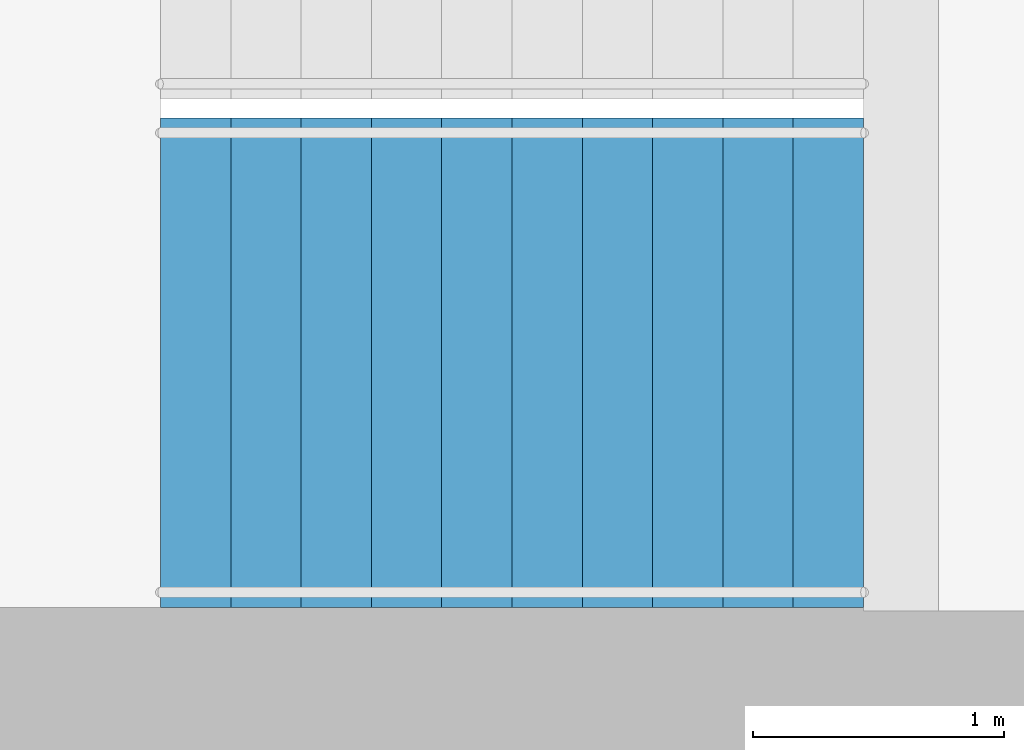
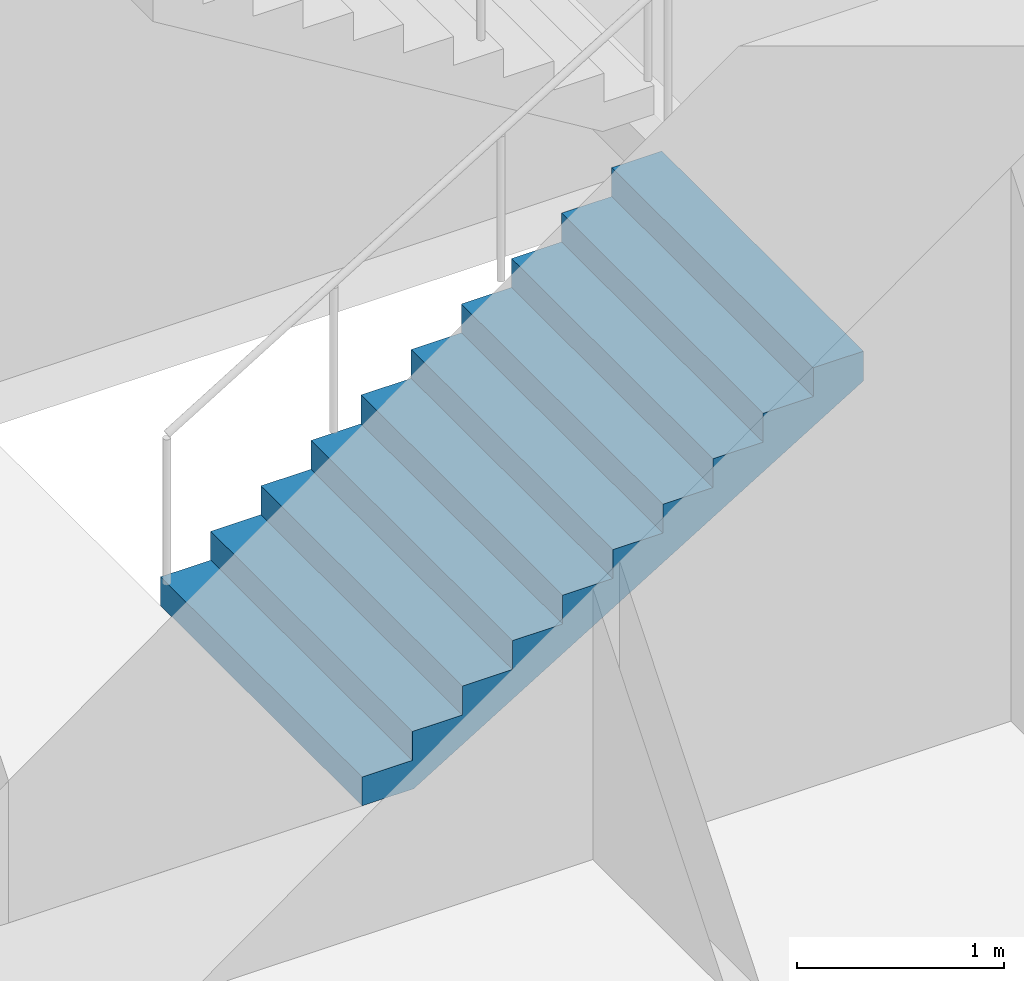
# One storey, part 16 of 20: 1 stair flight, 1 element without a shape of its own.
"""IFC4 building model written with IfcOpenShell, lengths in metres."""

from ifc_helpers import new_model, si_unit, direction, frame, origin, place, context, subcontext, project, spatial, triangles, material, type_object, element, aggregate, save


model = new_model("IFC4")

# Units and contexts
model_context = context("Model", 3, precision=1e-05, world=origin(), true_north=direction((0.0, 1.0)))
body_context = subcontext(model_context, "Body", "Model", "MODEL_VIEW")
ifc_project = project(units=[si_unit("LENGTHUNIT", "METRE"), si_unit("AREAUNIT", "SQUARE_METRE"), si_unit("VOLUMEUNIT", "CUBIC_METRE"), si_unit("PLANEANGLEUNIT", "RADIAN"), si_unit("MASSUNIT", "GRAM", prefix="KILO")], contexts=[model_context])

# Site, building, storey
site_placement = place(None, origin())
site = spatial("IfcSite", under=ifc_project, at=site_placement, CompositionType="ELEMENT")
building_placement = place(site_placement, origin())
building = spatial("IfcBuilding", under=site, at=building_placement, Name="Orbita Commons", CompositionType="ELEMENT")
storey_placement = place(building_placement, frame((0.0, 0.0, 129.39990234375)))
storey = spatial("IfcBuildingStorey", under=building, at=storey_placement, Name="L32", CompositionType="ELEMENT", Elevation=129.39990234375)

# Stair, stair flight
ifc_material_1 = material(Name="Precast concrete C40/50", Category="concrete")
stair_type = type_object("IfcStairType", Name="Exit stair S1 2 flights 11 risers 170", PredefinedType="HALF_TURN_STAIR", material=ifc_material_1)
stair_placement = place(storey_placement, origin())
stair = element("IfcStair", 1, at=stair_placement, inside=storey, type_object=stair_type, Name="Exit stair S1 L32", PredefinedType="HALF_TURN_STAIR")
ifc_material_2 = material(Name="Precast concrete C40/50", Category="concrete")
stair_flight_type = type_object("IfcStairFlightType", Name="Stair flight 11 risers 170 x 280", PredefinedType="STRAIGHT", material=ifc_material_2)
stair_flight_placement = place(storey_placement, frame((20.449951171875, 27.25, 0.0), z_axis=(0.0, 0.0, 1.0), x_axis=(1.0, 0.0, 0.0)))
stair_flight = element("IfcStairFlight", 2, at=stair_flight_placement, type_object=stair_flight_type, Name="S1 flight 1", NumberOfRisers=11, NumberOfTreads=10, PredefinedType="STRAIGHT", RiserHeight=0.170454545, TreadLength=0.28, context=body_context, shape_type="Tessellation", body=[
    triangles([(0.0, 0.974976, 0.0), (0.0, 0.974976, 0.021307), (0.0, 0.81248, 0.021307), (0.0, 0.81248, 0.0), (0.0, 0.649984, 0.021307), (0.0, 0.649984, 0.0), (0.0, 0.487488, 0.021307), (0.0, 0.487488, 0.0), (0.0, 0.324992, 0.021307), (0.0, 0.324992, 0.0), (0.0, 0.162496, 0.021307), (0.0, 0.162496, 0.0), (0.0, 0.0, 0.021307), (0.0, 0.0, 0.0), (0.0, -0.162496, 0.021307), (0.0, -0.162496, 0.0), (0.0, -0.324992, 0.021307), (0.0, -0.324992, 0.0), (0.0, -0.487488, 0.021307), (0.0, -0.487488, 0.0), (0.0, -0.649984, 0.021307), (0.0, -0.649984, 0.0), (0.0, -0.81248, 0.021307), (0.0, -0.81248, 0.0), (0.0, -0.974976, 0.021307), (0.0, -0.974976, 0.0), (0.0, 0.974976, 0.042614), (0.0, 0.81248, 0.042614), (0.0, 0.649984, 0.042614), (0.0, 0.487488, 0.042614), (0.0, 0.324992, 0.042614), (0.0, 0.162496, 0.042614), (0.0, 0.0, 0.042614), (0.0, -0.162496, 0.042614), (0.0, -0.324992, 0.042614), (0.0, -0.487488, 0.042614), (0.0, -0.649984, 0.042614), (0.0, -0.81248, 0.042614), (0.0, -0.974976, 0.042614), (0.0, 0.974976, 0.06392), (0.0, 0.81248, 0.06392), (0.0, 0.649984, 0.06392), (0.0, 0.487488, 0.06392), (0.0, 0.324992, 0.06392), (0.0, 0.162496, 0.06392), (0.0, 0.0, 0.06392), (0.0, -0.162496, 0.06392), (0.0, -0.324992, 0.06392), (0.0, -0.487488, 0.06392), (0.0, -0.649984, 0.06392), (0.0, -0.81248, 0.06392), (0.0, -0.974976, 0.06392), (0.0, 0.974976, 0.085227), (0.0, 0.81248, 0.085227), (0.0, 0.649984, 0.085227), (0.0, 0.487488, 0.085227), (0.0, 0.324992, 0.085227), (0.0, 0.162496, 0.085227), (0.0, 0.0, 0.085227), (0.0, -0.162496, 0.085227), (0.0, -0.324992, 0.085227), (0.0, -0.487488, 0.085227), (0.0, -0.649984, 0.085227), (0.0, -0.81248, 0.085227), (0.0, -0.974976, 0.085227), (0.0, 0.974976, 0.106534), (0.0, 0.81248, 0.106534), (0.0, 0.649984, 0.106534), (0.0, 0.487488, 0.106534), (0.0, 0.324992, 0.106534), (0.0, 0.162496, 0.106534), (0.0, 0.0, 0.106534), (0.0, -0.162496, 0.106534), (0.0, -0.324992, 0.106534), (0.0, -0.487488, 0.106534), (0.0, -0.649984, 0.106534), (0.0, -0.81248, 0.106534), (0.0, -0.974976, 0.106534), (0.0, 0.974976, 0.127841), (0.0, 0.81248, 0.127841), (0.0, 0.649984, 0.127841), (0.0, 0.487488, 0.127841), (0.0, 0.324992, 0.127841), (0.0, 0.162496, 0.127841), (0.0, 0.0, 0.127841), (0.0, -0.162496, 0.127841), (0.0, -0.324992, 0.127841), (0.0, -0.487488, 0.127841), (0.0, -0.649984, 0.127841), (0.0, -0.81248, 0.127841), (0.0, -0.974976, 0.127841), (0.0, 0.974976, 0.149148), (0.0, 0.81248, 0.149148), (0.0, 0.649984, 0.149148), (0.0, 0.487488, 0.149148), (0.0, 0.324992, 0.149148), (0.0, 0.162496, 0.149148), (0.0, 0.0, 0.149148), (0.0, -0.162496, 0.149148), (0.0, -0.324992, 0.149148), (0.0, -0.487488, 0.149148), (0.0, -0.649984, 0.149148), (0.0, -0.81248, 0.149148), (0.0, -0.974976, 0.149148), (0.0, 0.974976, 0.170455), (0.0, 0.81248, 0.170455), (0.0, 0.649984, 0.170455), (0.0, 0.487488, 0.170455), (0.0, 0.324992, 0.170455), (0.0, 0.162496, 0.170455), (0.0, 0.0, 0.170455), (0.0, -0.162496, 0.170455), (0.0, -0.324992, 0.170455), (0.0, -0.487488, 0.170455), (0.0, -0.649984, 0.170455), (0.0, -0.81248, 0.170455), (0.0, -0.974976, 0.170455), (0.28, 0.974976, 0.170455), (0.28, 0.81248, 0.170455), (0.28, 0.649984, 0.170455), (0.28, 0.487488, 0.170455), (0.28, 0.324992, 0.170455), (0.28, 0.162496, 0.170455), (0.28, 0.0, 0.170455), (0.28, -0.162496, 0.170455), (0.28, -0.324992, 0.170455), (0.28, -0.487488, 0.170455), (0.28, -0.649984, 0.170455), (0.28, -0.81248, 0.170455), (0.28, -0.974976, 0.170455), (0.28, 0.974976, 0.340909), (0.28, 0.81248, 0.340909), (0.28, 0.649984, 0.340909), (0.28, 0.487488, 0.340909), (0.28, 0.324992, 0.340909), (0.28, 0.162496, 0.340909), (0.28, 0.0, 0.340909), (0.28, -0.162496, 0.340909), (0.28, -0.324992, 0.340909), (0.28, -0.487488, 0.340909), (0.28, -0.649984, 0.340909), (0.28, -0.81248, 0.340909), (0.28, -0.974976, 0.340909), (0.56, 0.974976, 0.340909), (0.56, 0.81248, 0.340909), (0.56, 0.649984, 0.340909), (0.56, 0.487488, 0.340909), (0.56, 0.324992, 0.340909), (0.56, 0.162496, 0.340909), (0.56, 0.0, 0.340909), (0.56, -0.162496, 0.340909), (0.56, -0.324992, 0.340909), (0.56, -0.487488, 0.340909), (0.56, -0.649984, 0.340909), (0.56, -0.81248, 0.340909), (0.56, -0.974976, 0.340909), (0.56, 0.974976, 0.511364), (0.56, 0.81248, 0.511364), (0.56, 0.649984, 0.511364), (0.56, 0.487488, 0.511364), (0.56, 0.324992, 0.511364), (0.56, 0.162496, 0.511364), (0.56, 0.0, 0.511364), (0.56, -0.162496, 0.511364), (0.56, -0.324992, 0.511364), (0.56, -0.487488, 0.511364), (0.56, -0.649984, 0.511364), (0.56, -0.81248, 0.511364), (0.56, -0.974976, 0.511364), (0.84, 0.974976, 0.511364), (0.84, 0.81248, 0.511364), (0.84, 0.649984, 0.511364), (0.84, 0.487488, 0.511364), (0.84, 0.324992, 0.511364), (0.84, 0.162496, 0.511364), (0.84, 0.0, 0.511364), (0.84, -0.162496, 0.511364), (0.84, -0.324992, 0.511364), (0.84, -0.487488, 0.511364), (0.84, -0.649984, 0.511364), (0.84, -0.81248, 0.511364), (0.84, -0.974976, 0.511364), (0.84, 0.974976, 0.681818), (0.84, 0.81248, 0.681818), (0.84, 0.649984, 0.681818), (0.84, 0.487488, 0.681818), (0.84, 0.324992, 0.681818), (0.84, 0.162496, 0.681818), (0.84, 0.0, 0.681818), (0.84, -0.162496, 0.681818), (0.84, -0.324992, 0.681818), (0.84, -0.487488, 0.681818), (0.84, -0.649984, 0.681818), (0.84, -0.81248, 0.681818), (0.84, -0.974976, 0.681818), (1.12, 0.974976, 0.681818), (1.12, 0.81248, 0.681818), (1.12, 0.649984, 0.681818), (1.12, 0.487488, 0.681818), (1.12, 0.324992, 0.681818), (1.12, 0.162496, 0.681818), (1.12, 0.0, 0.681818), (1.12, -0.162496, 0.681818), (1.12, -0.324992, 0.681818), (1.12, -0.487488, 0.681818), (1.12, -0.649984, 0.681818), (1.12, -0.81248, 0.681818), (1.12, -0.974976, 0.681818), (1.12, 0.974976, 0.852273), (1.12, 0.81248, 0.852273), (1.12, 0.649984, 0.852273), (1.12, 0.487488, 0.852273), (1.12, 0.324992, 0.852273), (1.12, 0.162496, 0.852273), (1.12, 0.0, 0.852273), (1.12, -0.162496, 0.852273), (1.12, -0.324992, 0.852273), (1.12, -0.487488, 0.852273), (1.12, -0.649984, 0.852273), (1.12, -0.81248, 0.852273), (1.12, -0.974976, 0.852273), (1.4, 0.974976, 0.852273), (1.4, 0.81248, 0.852273), (1.4, 0.649984, 0.852273), (1.4, 0.487488, 0.852273), (1.4, 0.324992, 0.852273), (1.4, 0.162496, 0.852273), (1.4, 0.0, 0.852273), (1.4, -0.162496, 0.852273), (1.4, -0.324992, 0.852273), (1.4, -0.487488, 0.852273), (1.4, -0.649984, 0.852273), (1.4, -0.81248, 0.852273), (1.4, -0.974976, 0.852273), (1.4, 0.974976, 1.022727), (1.4, 0.81248, 1.022727), (1.4, 0.649984, 1.022727), (1.4, 0.487488, 1.022727), (1.4, 0.324992, 1.022727), (1.4, 0.162496, 1.022727), (1.4, 0.0, 1.022727), (1.4, -0.162496, 1.022727), (1.4, -0.324992, 1.022727), (1.4, -0.487488, 1.022727), (1.4, -0.649984, 1.022727), (1.4, -0.81248, 1.022727), (1.4, -0.974976, 1.022727), (1.68, 0.974976, 1.022727), (1.68, 0.81248, 1.022727), (1.68, 0.649984, 1.022727), (1.68, 0.487488, 1.022727), (1.68, 0.324992, 1.022727), (1.68, 0.162496, 1.022727), (1.68, 0.0, 1.022727), (1.68, -0.162496, 1.022727), (1.68, -0.324992, 1.022727), (1.68, -0.487488, 1.022727), (1.68, -0.649984, 1.022727), (1.68, -0.81248, 1.022727), (1.68, -0.974976, 1.022727), (1.68, 0.974976, 1.193182), (1.68, 0.81248, 1.193182), (1.68, 0.649984, 1.193182), (1.68, 0.487488, 1.193182), (1.68, 0.324992, 1.193182), (1.68, 0.162496, 1.193182), (1.68, 0.0, 1.193182), (1.68, -0.162496, 1.193182), (1.68, -0.324992, 1.193182), (1.68, -0.487488, 1.193182), (1.68, -0.649984, 1.193182), (1.68, -0.81248, 1.193182), (1.68, -0.974976, 1.193182), (1.96, 0.974976, 1.193182), (1.96, 0.81248, 1.193182), (1.96, 0.649984, 1.193182), (1.96, 0.487488, 1.193182), (1.96, 0.324992, 1.193182), (1.96, 0.162496, 1.193182), (1.96, 0.0, 1.193182), (1.96, -0.162496, 1.193182), (1.96, -0.324992, 1.193182), (1.96, -0.487488, 1.193182), (1.96, -0.649984, 1.193182), (1.96, -0.81248, 1.193182), (1.96, -0.974976, 1.193182), (1.96, 0.974976, 1.363636), (1.96, 0.81248, 1.363636), (1.96, 0.649984, 1.363636), (1.96, 0.487488, 1.363636), (1.96, 0.324992, 1.363636), (1.96, 0.162496, 1.363636), (1.96, 0.0, 1.363636), (1.96, -0.162496, 1.363636), (1.96, -0.324992, 1.363636), (1.96, -0.487488, 1.363636), (1.96, -0.649984, 1.363636), (1.96, -0.81248, 1.363636), (1.96, -0.974976, 1.363636), (2.24, 0.974976, 1.363636), (2.24, 0.81248, 1.363636), (2.24, 0.649984, 1.363636), (2.24, 0.487488, 1.363636), (2.24, 0.324992, 1.363636), (2.24, 0.162496, 1.363636), (2.24, 0.0, 1.363636), (2.24, -0.162496, 1.363636), (2.24, -0.324992, 1.363636), (2.24, -0.487488, 1.363636), (2.24, -0.649984, 1.363636), (2.24, -0.81248, 1.363636), (2.24, -0.974976, 1.363636), (2.24, 0.974976, 1.534091), (2.24, 0.81248, 1.534091), (2.24, 0.649984, 1.534091), (2.24, 0.487488, 1.534091), (2.24, 0.324992, 1.534091), (2.24, 0.162496, 1.534091), (2.24, 0.0, 1.534091), (2.24, -0.162496, 1.534091), (2.24, -0.324992, 1.534091), (2.24, -0.487488, 1.534091), (2.24, -0.649984, 1.534091), (2.24, -0.81248, 1.534091), (2.24, -0.974976, 1.534091), (2.52, 0.974976, 1.534091), (2.52, 0.81248, 1.534091), (2.52, 0.649984, 1.534091), (2.52, 0.487488, 1.534091), (2.52, 0.324992, 1.534091), (2.52, 0.162496, 1.534091), (2.52, 0.0, 1.534091), (2.52, -0.162496, 1.534091), (2.52, -0.324992, 1.534091), (2.52, -0.487488, 1.534091), (2.52, -0.649984, 1.534091), (2.52, -0.81248, 1.534091), (2.52, -0.974976, 1.534091), (2.52, 0.974976, 1.704545), (2.52, 0.81248, 1.704545), (2.52, 0.649984, 1.704545), (2.52, 0.487488, 1.704545), (2.52, 0.324992, 1.704545), (2.52, 0.162496, 1.704545), (2.52, 0.0, 1.704545), (2.52, -0.162496, 1.704545), (2.52, -0.324992, 1.704545), (2.52, -0.487488, 1.704545), (2.52, -0.649984, 1.704545), (2.52, -0.81248, 1.704545), (2.52, -0.974976, 1.704545), (2.8, 0.974976, 1.704545), (2.8, 0.81248, 1.704545), (2.8, 0.649984, 1.704545), (2.8, 0.487488, 1.704545), (2.8, 0.324992, 1.704545), (2.8, 0.162496, 1.704545), (2.8, 0.0, 1.704545), (2.8, -0.162496, 1.704545), (2.8, -0.324992, 1.704545), (2.8, -0.487488, 1.704545), (2.8, -0.649984, 1.704545), (2.8, -0.81248, 1.704545), (2.8, -0.974976, 1.704545), (2.8, 0.974976, 1.682609), (2.8, 0.81248, 1.682609), (2.8, 0.649984, 1.682609), (2.8, 0.487488, 1.682609), (2.8, 0.324992, 1.682609), (2.8, 0.162496, 1.682609), (2.8, 0.0, 1.682609), (2.8, -0.162496, 1.682609), (2.8, -0.324992, 1.682609), (2.8, -0.487488, 1.682609), (2.8, -0.649984, 1.682609), (2.8, -0.81248, 1.682609), (2.8, -0.974976, 1.682609), (2.8, 0.974976, 1.660672), (2.8, 0.81248, 1.660672), (2.8, 0.649984, 1.660672), (2.8, 0.487488, 1.660672), (2.8, 0.324992, 1.660672), (2.8, 0.162496, 1.660672), (2.8, 0.0, 1.660672), (2.8, -0.162496, 1.660672), (2.8, -0.324992, 1.660672), (2.8, -0.487488, 1.660672), (2.8, -0.649984, 1.660672), (2.8, -0.81248, 1.660672), (2.8, -0.974976, 1.660672), (2.8, 0.974976, 1.638735), (2.8, 0.81248, 1.638735), (2.8, 0.649984, 1.638735), (2.8, 0.487488, 1.638735), (2.8, 0.324992, 1.638735), (2.8, 0.162496, 1.638735), (2.8, 0.0, 1.638735), (2.8, -0.162496, 1.638735), (2.8, -0.324992, 1.638735), (2.8, -0.487488, 1.638735), (2.8, -0.649984, 1.638735), (2.8, -0.81248, 1.638735), (2.8, -0.974976, 1.638735), (2.8, 0.974976, 1.616798), (2.8, 0.81248, 1.616798), (2.8, 0.649984, 1.616798), (2.8, 0.487488, 1.616798), (2.8, 0.324992, 1.616798), (2.8, 0.162496, 1.616798), (2.8, 0.0, 1.616798), (2.8, -0.162496, 1.616798), (2.8, -0.324992, 1.616798), (2.8, -0.487488, 1.616798), (2.8, -0.649984, 1.616798), (2.8, -0.81248, 1.616798), (2.8, -0.974976, 1.616798), (2.8, 0.974976, 1.594861), (2.8, 0.81248, 1.594861), (2.8, 0.649984, 1.594861), (2.8, 0.487488, 1.594861), (2.8, 0.324992, 1.594861), (2.8, 0.162496, 1.594861), (2.8, 0.0, 1.594861), (2.8, -0.162496, 1.594861), (2.8, -0.324992, 1.594861), (2.8, -0.487488, 1.594861), (2.8, -0.649984, 1.594861), (2.8, -0.81248, 1.594861), (2.8, -0.974976, 1.594861), (2.8, 0.974976, 1.572925), (2.8, 0.81248, 1.572925), (2.8, 0.649984, 1.572925), (2.8, 0.487488, 1.572925), (2.8, 0.324992, 1.572925), (2.8, 0.162496, 1.572925), (2.8, 0.0, 1.572925), (2.8, -0.162496, 1.572925), (2.8, -0.324992, 1.572925), (2.8, -0.487488, 1.572925), (2.8, -0.649984, 1.572925), (2.8, -0.81248, 1.572925), (2.8, -0.974976, 1.572925), (2.8, 0.974976, 1.550988), (2.8, 0.81248, 1.550988), (2.8, 0.649984, 1.550988), (2.8, 0.487488, 1.550988), (2.8, 0.324992, 1.550988), (2.8, 0.162496, 1.550988), (2.8, 0.0, 1.550988), (2.8, -0.162496, 1.550988), (2.8, -0.324992, 1.550988), (2.8, -0.487488, 1.550988), (2.8, -0.649984, 1.550988), (2.8, -0.81248, 1.550988), (2.8, -0.974976, 1.550988), (2.8, 0.974976, 1.529051), (2.8, 0.81248, 1.529051), (2.8, 0.649984, 1.529051), (2.8, 0.487488, 1.529051), (2.8, 0.324992, 1.529051), (2.8, 0.162496, 1.529051), (2.8, 0.0, 1.529051), (2.8, -0.162496, 1.529051), (2.8, -0.324992, 1.529051), (2.8, -0.487488, 1.529051), (2.8, -0.649984, 1.529051), (2.8, -0.81248, 1.529051), (2.8, -0.974976, 1.529051), (0.288279, 0.974976, 0.0), (0.288279, 0.81248, 0.0), (0.288279, 0.649984, 0.0), (0.288279, 0.487488, 0.0), (0.288279, 0.324992, 0.0), (0.288279, 0.162496, 0.0), (0.288279, 0.0, 0.0), (0.288279, -0.162496, 0.0), (0.288279, -0.324992, 0.0), (0.288279, -0.487488, 0.0), (0.288279, -0.649984, 0.0), (0.288279, -0.81248, 0.0), (0.288279, -0.974976, 0.0)], [[3, 2, 1], [4, 3, 1], [5, 3, 4], [6, 5, 4], [7, 5, 6], [8, 7, 6], [9, 7, 8], [10, 9, 8], [11, 9, 10], [12, 11, 10], [13, 11, 12], [14, 13, 12], [15, 13, 14], [16, 15, 14], [17, 15, 16], [18, 17, 16], [19, 17, 18], [20, 19, 18], [21, 19, 20], [22, 21, 20], [23, 21, 22], [24, 23, 22], [25, 23, 24], [26, 25, 24], [28, 27, 2], [3, 28, 2], [29, 28, 3], [5, 29, 3], [30, 29, 5], [7, 30, 5], [31, 30, 7], [9, 31, 7], [32, 31, 9], [11, 32, 9], [33, 32, 11], [13, 33, 11], [34, 33, 13], [15, 34, 13], [35, 34, 15], [17, 35, 15], [36, 35, 17], [19, 36, 17], [37, 36, 19], [21, 37, 19], [38, 37, 21], [23, 38, 21], [39, 38, 23], [25, 39, 23], [41, 40, 27], [28, 41, 27], [42, 41, 28], [29, 42, 28], [43, 42, 29], [30, 43, 29], [44, 43, 30], [31, 44, 30], [45, 44, 31], [32, 45, 31], [46, 45, 32], [33, 46, 32], [47, 46, 33], [34, 47, 33], [48, 47, 34], [35, 48, 34], [49, 48, 35], [36, 49, 35], [50, 49, 36], [37, 50, 36], [51, 50, 37], [38, 51, 37], [52, 51, 38], [39, 52, 38], [54, 53, 40], [41, 54, 40], [55, 54, 41], [42, 55, 41], [56, 55, 42], [43, 56, 42], [57, 56, 43], [44, 57, 43], [58, 57, 44], [45, 58, 44], [59, 58, 45], [46, 59, 45], [60, 59, 46], [47, 60, 46], [61, 60, 47], [48, 61, 47], [62, 61, 48], [49, 62, 48], [63, 62, 49], [50, 63, 49], [64, 63, 50], [51, 64, 50], [65, 64, 51], [52, 65, 51], [67, 66, 53], [54, 67, 53], [68, 67, 54], [55, 68, 54], [69, 68, 55], [56, 69, 55], [70, 69, 56], [57, 70, 56], [71, 70, 57], [58, 71, 57], [72, 71, 58], [59, 72, 58], [73, 72, 59], [60, 73, 59], [74, 73, 60], [61, 74, 60], [75, 74, 61], [62, 75, 61], [76, 75, 62], [63, 76, 62], [77, 76, 63], [64, 77, 63], [78, 77, 64], [65, 78, 64], [80, 79, 66], [67, 80, 66], [81, 80, 67], [68, 81, 67], [82, 81, 68], [69, 82, 68], [83, 82, 69], [70, 83, 69], [84, 83, 70], [71, 84, 70], [85, 84, 71], [72, 85, 71], [86, 85, 72], [73, 86, 72], [87, 86, 73], [74, 87, 73], [88, 87, 74], [75, 88, 74], [89, 88, 75], [76, 89, 75], [90, 89, 76], [77, 90, 76], [91, 90, 77], [78, 91, 77], [93, 92, 79], [80, 93, 79], [94, 93, 80], [81, 94, 80], [95, 94, 81], [82, 95, 81], [96, 95, 82], [83, 96, 82], [97, 96, 83], [84, 97, 83], [98, 97, 84], [85, 98, 84], [99, 98, 85], [86, 99, 85], [100, 99, 86], [87, 100, 86], [101, 100, 87], [88, 101, 87], [102, 101, 88], [89, 102, 88], [103, 102, 89], [90, 103, 89], [104, 103, 90], [91, 104, 90], [106, 105, 92], [93, 106, 92], [107, 106, 93], [94, 107, 93], [108, 107, 94], [95, 108, 94], [109, 108, 95], [96, 109, 95], [110, 109, 96], [97, 110, 96], [111, 110, 97], [98, 111, 97], [112, 111, 98], [99, 112, 98], [113, 112, 99], [100, 113, 99], [114, 113, 100], [101, 114, 100], [115, 114, 101], [102, 115, 101], [116, 115, 102], [103, 116, 102], [117, 116, 103], [104, 117, 103], [119, 118, 105], [106, 119, 105], [120, 119, 106], [107, 120, 106], [121, 120, 107], [108, 121, 107], [122, 121, 108], [109, 122, 108], [123, 122, 109], [110, 123, 109], [124, 123, 110], [111, 124, 110], [125, 124, 111], [112, 125, 111], [126, 125, 112], [113, 126, 112], [127, 126, 113], [114, 127, 113], [128, 127, 114], [115, 128, 114], [129, 128, 115], [116, 129, 115], [130, 129, 116], [117, 130, 116], [132, 131, 118], [119, 132, 118], [133, 132, 119], [120, 133, 119], [134, 133, 120], [121, 134, 120], [135, 134, 121], [122, 135, 121], [136, 135, 122], [123, 136, 122], [137, 136, 123], [124, 137, 123], [138, 137, 124], [125, 138, 124], [139, 138, 125], [126, 139, 125], [140, 139, 126], [127, 140, 126], [141, 140, 127], [128, 141, 127], [142, 141, 128], [129, 142, 128], [143, 142, 129], [130, 143, 129], [145, 144, 131], [132, 145, 131], [146, 145, 132], [133, 146, 132], [147, 146, 133], [134, 147, 133], [148, 147, 134], [135, 148, 134], [149, 148, 135], [136, 149, 135], [150, 149, 136], [137, 150, 136], [151, 150, 137], [138, 151, 137], [152, 151, 138], [139, 152, 138], [153, 152, 139], [140, 153, 139], [154, 153, 140], [141, 154, 140], [155, 154, 141], [142, 155, 141], [156, 155, 142], [143, 156, 142], [158, 157, 144], [145, 158, 144], [159, 158, 145], [146, 159, 145], [160, 159, 146], [147, 160, 146], [161, 160, 147], [148, 161, 147], [162, 161, 148], [149, 162, 148], [163, 162, 149], [150, 163, 149], [164, 163, 150], [151, 164, 150], [165, 164, 151], [152, 165, 151], [166, 165, 152], [153, 166, 152], [167, 166, 153], [154, 167, 153], [168, 167, 154], [155, 168, 154], [169, 168, 155], [156, 169, 155], [171, 170, 157], [158, 171, 157], [172, 171, 158], [159, 172, 158], [173, 172, 159], [160, 173, 159], [174, 173, 160], [161, 174, 160], [175, 174, 161], [162, 175, 161], [176, 175, 162], [163, 176, 162], [177, 176, 163], [164, 177, 163], [178, 177, 164], [165, 178, 164], [179, 178, 165], [166, 179, 165], [180, 179, 166], [167, 180, 166], [181, 180, 167], [168, 181, 167], [182, 181, 168], [169, 182, 168], [184, 183, 170], [171, 184, 170], [185, 184, 171], [172, 185, 171], [186, 185, 172], [173, 186, 172], [187, 186, 173], [174, 187, 173], [188, 187, 174], [175, 188, 174], [189, 188, 175], [176, 189, 175], [190, 189, 176], [177, 190, 176], [191, 190, 177], [178, 191, 177], [192, 191, 178], [179, 192, 178], [193, 192, 179], [180, 193, 179], [194, 193, 180], [181, 194, 180], [195, 194, 181], [182, 195, 181], [197, 196, 183], [184, 197, 183], [198, 197, 184], [185, 198, 184], [199, 198, 185], [186, 199, 185], [200, 199, 186], [187, 200, 186], [201, 200, 187], [188, 201, 187], [202, 201, 188], [189, 202, 188], [203, 202, 189], [190, 203, 189], [204, 203, 190], [191, 204, 190], [205, 204, 191], [192, 205, 191], [206, 205, 192], [193, 206, 192], [207, 206, 193], [194, 207, 193], [208, 207, 194], [195, 208, 194], [210, 209, 196], [197, 210, 196], [211, 210, 197], [198, 211, 197], [212, 211, 198], [199, 212, 198], [213, 212, 199], [200, 213, 199], [214, 213, 200], [201, 214, 200], [215, 214, 201], [202, 215, 201], [216, 215, 202], [203, 216, 202], [217, 216, 203], [204, 217, 203], [218, 217, 204], [205, 218, 204], [219, 218, 205], [206, 219, 205], [220, 219, 206], [207, 220, 206], [221, 220, 207], [208, 221, 207], [223, 222, 209], [210, 223, 209], [224, 223, 210], [211, 224, 210], [225, 224, 211], [212, 225, 211], [226, 225, 212], [213, 226, 212], [227, 226, 213], [214, 227, 213], [228, 227, 214], [215, 228, 214], [229, 228, 215], [216, 229, 215], [230, 229, 216], [217, 230, 216], [231, 230, 217], [218, 231, 217], [232, 231, 218], [219, 232, 218], [233, 232, 219], [220, 233, 219], [234, 233, 220], [221, 234, 220], [236, 235, 222], [223, 236, 222], [237, 236, 223], [224, 237, 223], [238, 237, 224], [225, 238, 224], [239, 238, 225], [226, 239, 225], [240, 239, 226], [227, 240, 226], [241, 240, 227], [228, 241, 227], [242, 241, 228], [229, 242, 228], [243, 242, 229], [230, 243, 229], [244, 243, 230], [231, 244, 230], [245, 244, 231], [232, 245, 231], [246, 245, 232], [233, 246, 232], [247, 246, 233], [234, 247, 233], [249, 248, 235], [236, 249, 235], [250, 249, 236], [237, 250, 236], [251, 250, 237], [238, 251, 237], [252, 251, 238], [239, 252, 238], [253, 252, 239], [240, 253, 239], [254, 253, 240], [241, 254, 240], [255, 254, 241], [242, 255, 241], [256, 255, 242], [243, 256, 242], [257, 256, 243], [244, 257, 243], [258, 257, 244], [245, 258, 244], [259, 258, 245], [246, 259, 245], [260, 259, 246], [247, 260, 246], [262, 261, 248], [249, 262, 248], [263, 262, 249], [250, 263, 249], [264, 263, 250], [251, 264, 250], [265, 264, 251], [252, 265, 251], [266, 265, 252], [253, 266, 252], [267, 266, 253], [254, 267, 253], [268, 267, 254], [255, 268, 254], [269, 268, 255], [256, 269, 255], [270, 269, 256], [257, 270, 256], [271, 270, 257], [258, 271, 257], [272, 271, 258], [259, 272, 258], [273, 272, 259], [260, 273, 259], [275, 274, 261], [262, 275, 261], [276, 275, 262], [263, 276, 262], [277, 276, 263], [264, 277, 263], [278, 277, 264], [265, 278, 264], [279, 278, 265], [266, 279, 265], [280, 279, 266], [267, 280, 266], [281, 280, 267], [268, 281, 267], [282, 281, 268], [269, 282, 268], [283, 282, 269], [270, 283, 269], [284, 283, 270], [271, 284, 270], [285, 284, 271], [272, 285, 271], [286, 285, 272], [273, 286, 272], [288, 287, 274], [275, 288, 274], [289, 288, 275], [276, 289, 275], [290, 289, 276], [277, 290, 276], [291, 290, 277], [278, 291, 277], [292, 291, 278], [279, 292, 278], [293, 292, 279], [280, 293, 279], [294, 293, 280], [281, 294, 280], [295, 294, 281], [282, 295, 281], [296, 295, 282], [283, 296, 282], [297, 296, 283], [284, 297, 283], [298, 297, 284], [285, 298, 284], [299, 298, 285], [286, 299, 285], [301, 300, 287], [288, 301, 287], [302, 301, 288], [289, 302, 288], [303, 302, 289], [290, 303, 289], [304, 303, 290], [291, 304, 290], [305, 304, 291], [292, 305, 291], [306, 305, 292], [293, 306, 292], [307, 306, 293], [294, 307, 293], [308, 307, 294], [295, 308, 294], [309, 308, 295], [296, 309, 295], [310, 309, 296], [297, 310, 296], [311, 310, 297], [298, 311, 297], [312, 311, 298], [299, 312, 298], [314, 313, 300], [301, 314, 300], [315, 314, 301], [302, 315, 301], [316, 315, 302], [303, 316, 302], [317, 316, 303], [304, 317, 303], [318, 317, 304], [305, 318, 304], [319, 318, 305], [306, 319, 305], [320, 319, 306], [307, 320, 306], [321, 320, 307], [308, 321, 307], [322, 321, 308], [309, 322, 308], [323, 322, 309], [310, 323, 309], [324, 323, 310], [311, 324, 310], [325, 324, 311], [312, 325, 311], [327, 326, 313], [314, 327, 313], [328, 327, 314], [315, 328, 314], [329, 328, 315], [316, 329, 315], [330, 329, 316], [317, 330, 316], [331, 330, 317], [318, 331, 317], [332, 331, 318], [319, 332, 318], [333, 332, 319], [320, 333, 319], [334, 333, 320], [321, 334, 320], [335, 334, 321], [322, 335, 321], [336, 335, 322], [323, 336, 322], [337, 336, 323], [324, 337, 323], [338, 337, 324], [325, 338, 324], [340, 339, 326], [327, 340, 326], [341, 340, 327], [328, 341, 327], [342, 341, 328], [329, 342, 328], [343, 342, 329], [330, 343, 329], [344, 343, 330], [331, 344, 330], [345, 344, 331], [332, 345, 331], [346, 345, 332], [333, 346, 332], [347, 346, 333], [334, 347, 333], [348, 347, 334], [335, 348, 334], [349, 348, 335], [336, 349, 335], [350, 349, 336], [337, 350, 336], [351, 350, 337], [338, 351, 337], [353, 352, 339], [340, 353, 339], [354, 353, 340], [341, 354, 340], [355, 354, 341], [342, 355, 341], [356, 355, 342], [343, 356, 342], [357, 356, 343], [344, 357, 343], [358, 357, 344], [345, 358, 344], [359, 358, 345], [346, 359, 345], [360, 359, 346], [347, 360, 346], [361, 360, 347], [348, 361, 347], [362, 361, 348], [349, 362, 348], [363, 362, 349], [350, 363, 349], [364, 363, 350], [351, 364, 350], [366, 365, 352], [353, 366, 352], [367, 366, 353], [354, 367, 353], [368, 367, 354], [355, 368, 354], [369, 368, 355], [356, 369, 355], [370, 369, 356], [357, 370, 356], [371, 370, 357], [358, 371, 357], [372, 371, 358], [359, 372, 358], [373, 372, 359], [360, 373, 359], [374, 373, 360], [361, 374, 360], [375, 374, 361], [362, 375, 361], [376, 375, 362], [363, 376, 362], [377, 376, 363], [364, 377, 363], [379, 378, 365], [366, 379, 365], [380, 379, 366], [367, 380, 366], [381, 380, 367], [368, 381, 367], [382, 381, 368], [369, 382, 368], [383, 382, 369], [370, 383, 369], [384, 383, 370], [371, 384, 370], [385, 384, 371], [372, 385, 371], [386, 385, 372], [373, 386, 372], [387, 386, 373], [374, 387, 373], [388, 387, 374], [375, 388, 374], [389, 388, 375], [376, 389, 375], [390, 389, 376], [377, 390, 376], [392, 391, 378], [379, 392, 378], [393, 392, 379], [380, 393, 379], [394, 393, 380], [381, 394, 380], [395, 394, 381], [382, 395, 381], [396, 395, 382], [383, 396, 382], [397, 396, 383], [384, 397, 383], [398, 397, 384], [385, 398, 384], [399, 398, 385], [386, 399, 385], [400, 399, 386], [387, 400, 386], [401, 400, 387], [388, 401, 387], [402, 401, 388], [389, 402, 388], [403, 402, 389], [390, 403, 389], [405, 404, 391], [392, 405, 391], [406, 405, 392], [393, 406, 392], [407, 406, 393], [394, 407, 393], [408, 407, 394], [395, 408, 394], [409, 408, 395], [396, 409, 395], [410, 409, 396], [397, 410, 396], [411, 410, 397], [398, 411, 397], [412, 411, 398], [399, 412, 398], [413, 412, 399], [400, 413, 399], [414, 413, 400], [401, 414, 400], [415, 414, 401], [402, 415, 401], [416, 415, 402], [403, 416, 402], [418, 417, 404], [405, 418, 404], [419, 418, 405], [406, 419, 405], [420, 419, 406], [407, 420, 406], [421, 420, 407], [408, 421, 407], [422, 421, 408], [409, 422, 408], [423, 422, 409], [410, 423, 409], [424, 423, 410], [411, 424, 410], [425, 424, 411], [412, 425, 411], [426, 425, 412], [413, 426, 412], [427, 426, 413], [414, 427, 413], [428, 427, 414], [415, 428, 414], [429, 428, 415], [416, 429, 415], [431, 430, 417], [418, 431, 417], [432, 431, 418], [419, 432, 418], [433, 432, 419], [420, 433, 419], [434, 433, 420], [421, 434, 420], [435, 434, 421], [422, 435, 421], [436, 435, 422], [423, 436, 422], [437, 436, 423], [424, 437, 423], [438, 437, 424], [425, 438, 424], [439, 438, 425], [426, 439, 425], [440, 439, 426], [427, 440, 426], [441, 440, 427], [428, 441, 427], [442, 441, 428], [429, 442, 428], [444, 443, 430], [431, 444, 430], [445, 444, 431], [432, 445, 431], [446, 445, 432], [433, 446, 432], [447, 446, 433], [434, 447, 433], [448, 447, 434], [435, 448, 434], [449, 448, 435], [436, 449, 435], [450, 449, 436], [437, 450, 436], [451, 450, 437], [438, 451, 437], [452, 451, 438], [439, 452, 438], [453, 452, 439], [440, 453, 439], [454, 453, 440], [441, 454, 440], [455, 454, 441], [442, 455, 441], [457, 456, 443], [444, 457, 443], [458, 457, 444], [445, 458, 444], [459, 458, 445], [446, 459, 445], [460, 459, 446], [447, 460, 446], [461, 460, 447], [448, 461, 447], [462, 461, 448], [449, 462, 448], [463, 462, 449], [450, 463, 449], [464, 463, 450], [451, 464, 450], [465, 464, 451], [452, 465, 451], [466, 465, 452], [453, 466, 452], [467, 466, 453], [454, 467, 453], [468, 467, 454], [455, 468, 454], [470, 469, 456], [457, 470, 456], [471, 470, 457], [458, 471, 457], [472, 471, 458], [459, 472, 458], [473, 472, 459], [460, 473, 459], [474, 473, 460], [461, 474, 460], [475, 474, 461], [462, 475, 461], [476, 475, 462], [463, 476, 462], [477, 476, 463], [464, 477, 463], [478, 477, 464], [465, 478, 464], [479, 478, 465], [466, 479, 465], [480, 479, 466], [467, 480, 466], [481, 480, 467], [468, 481, 467], [4, 1, 469], [470, 4, 469], [6, 4, 470], [471, 6, 470], [8, 6, 471], [472, 8, 471], [10, 8, 472], [473, 10, 472], [12, 10, 473], [474, 12, 473], [14, 12, 474], [475, 14, 474], [16, 14, 475], [476, 16, 475], [18, 16, 476], [477, 18, 476], [20, 18, 477], [478, 20, 477], [22, 20, 478], [479, 22, 478], [24, 22, 479], [480, 24, 479], [26, 24, 480], [481, 26, 480], [456, 469, 1], [26, 481, 468], [443, 456, 1], [26, 468, 455], [430, 443, 1], [26, 455, 442], [417, 430, 1], [26, 442, 429], [404, 417, 1], [26, 429, 416], [391, 404, 1], [26, 416, 403], [378, 391, 1], [26, 403, 390], [365, 378, 1], [26, 390, 377], [339, 352, 365], [377, 364, 351], [326, 339, 365], [377, 351, 338], [300, 313, 326], [338, 325, 312], [300, 326, 365], [377, 338, 312], [274, 287, 300], [312, 299, 286], [274, 300, 365], [377, 312, 286], [248, 261, 274], [286, 273, 260], [248, 274, 365], [377, 286, 260], [222, 235, 248], [260, 247, 234], [222, 248, 365], [377, 260, 234], [196, 209, 222], [234, 221, 208], [196, 222, 365], [377, 234, 208], [170, 183, 196], [208, 195, 182], [170, 196, 365], [377, 208, 182], [144, 157, 170], [182, 169, 156], [144, 170, 365], [377, 182, 156], [118, 131, 144], [156, 143, 130], [118, 144, 365], [377, 156, 130], [118, 365, 1], [26, 377, 130], [92, 105, 118], [130, 117, 104], [79, 92, 118], [130, 104, 91], [66, 79, 118], [130, 91, 78], [53, 66, 118], [130, 78, 65], [40, 53, 118], [130, 65, 52], [27, 40, 118], [130, 52, 39], [2, 27, 118], [130, 39, 25], [1, 2, 118], [130, 25, 26]], closed=True),
])
aggregate(stair, [stair_flight])

save(model, "model.ifc")
